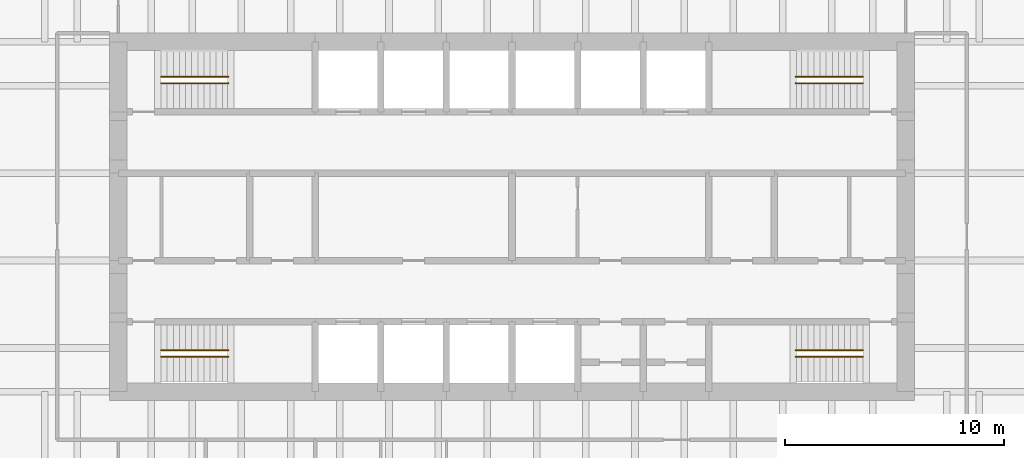
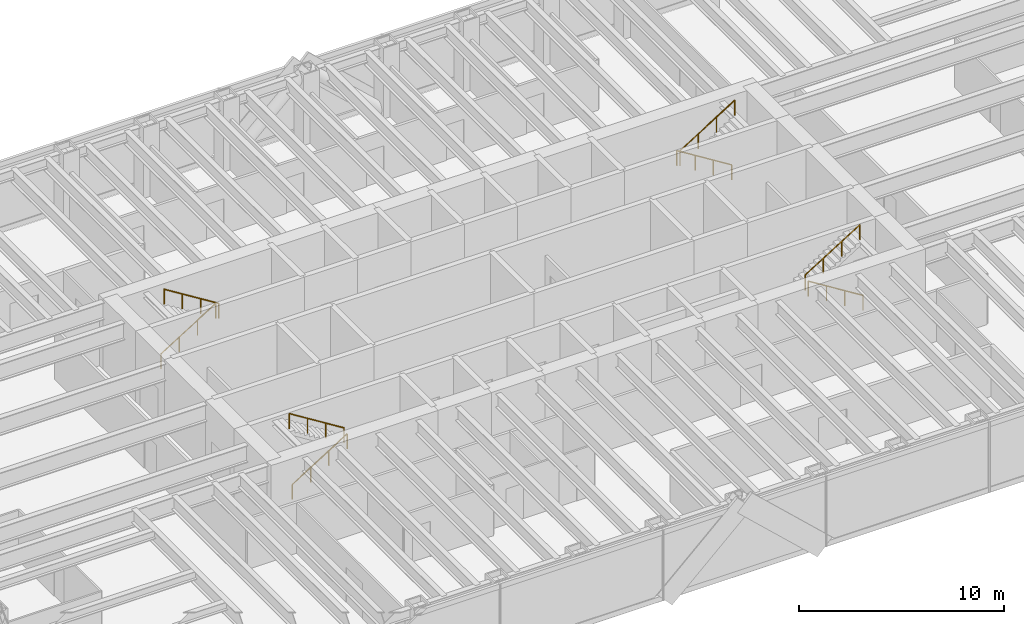
# One storey, part 14 of 14: 8 railings.
"""IFC4 building model written with IfcOpenShell, lengths in metres."""

from ifc_helpers import new_model, si_unit, direction, frame, origin, origin_2d, place, context, subcontext, project, spatial, circle, extrude, material, type_object, element, save


model = new_model("IFC4")

# Units and contexts
model_context = context("Model", 3, precision=1e-05, world=origin(), true_north=direction((0.0, 1.0)))
body_context = subcontext(model_context, "Body", "Model", "MODEL_VIEW")
ifc_project = project(units=[si_unit("LENGTHUNIT", "METRE"), si_unit("AREAUNIT", "SQUARE_METRE"), si_unit("VOLUMEUNIT", "CUBIC_METRE"), si_unit("PLANEANGLEUNIT", "RADIAN"), si_unit("MASSUNIT", "GRAM", prefix="KILO")], contexts=[model_context])

# Site, building, storey
site_placement = place(None, origin())
site = spatial("IfcSite", under=ifc_project, at=site_placement, CompositionType="ELEMENT")
building_placement = place(site_placement, origin())
building = spatial("IfcBuilding", under=site, at=building_placement, Name="Rheinbord Bourse Tower", CompositionType="ELEMENT")
storey_placement = place(building_placement, frame((0.0, 0.0, 240.39990234375)))
storey = spatial("IfcBuildingStorey", under=building, at=storey_placement, Name="L54", CompositionType="ELEMENT", Elevation=240.39990234375)

# Railings
ifc_material = material(Name="Steel handrail", Category="steel")
railing_type = type_object("IfcRailingType", Name="HANDRAIL 900", PredefinedType="HANDRAIL", material=ifc_material)
railing_1_placement = place(storey_placement, frame((19.949951171875, 17.60009765625, 0.175048828125)))
element("IfcRailing", 1, at=railing_1_placement, inside=storey, type_object=railing_type, Name="Handrail", PredefinedType="HANDRAIL", context=body_context, shape_type="SweptSolid", body=[
    extrude(circle(Radius=0.02392578125, at=origin_2d()), frame((0.0, 0.0, 0.8759765625), z_axis=(0.847998304005, 0.0, 0.529998940003), x_axis=(0.0, 1.0, 0.0)), (0.0, 0.0, 1.0), 3.632080078125),
    extrude(circle(Radius=0.02099609375, at=origin_2d()), origin(), (0.0, 0.0, 1.0), 0.851806640625),
    extrude(circle(Radius=0.02099609375, at=origin_2d()), frame((1.026611328125, 0.0, 0.6416015625)), (0.0, 0.0, 1.0), 0.851806640625),
    extrude(circle(Radius=0.02099609375, at=origin_2d()), frame((2.053466796875, 0.0, 1.283447265625)), (0.0, 0.0, 1.0), 0.851806640625),
    extrude(circle(Radius=0.02099609375, at=origin_2d()), frame((3.080078125, 0.0, 1.925048828125)), (0.0, 0.0, 1.0), 0.851806640625),
])
railing_2_placement = place(storey_placement, frame((23.030029296875, 17.89990234375, 2.275146484375)))
element("IfcRailing", 2, at=railing_2_placement, inside=storey, type_object=railing_type, Name="Handrail", PredefinedType="HANDRAIL", context=body_context, shape_type="SweptSolid", body=[
    extrude(circle(Radius=0.02392578125, at=origin_2d()), frame((0.0, 0.0, 0.8759765625), z_axis=(-0.847998304005, 0.0, 0.529998940003), x_axis=(0.0, -1.0, 0.0)), (0.0, 0.0, 1.0), 3.632080078125),
    extrude(circle(Radius=0.02099609375, at=origin_2d()), origin(), (0.0, 0.0, 1.0), 0.851806640625),
    extrude(circle(Radius=0.02099609375, at=origin_2d()), frame((-1.026611328125, 0.0, 0.6416015625)), (0.0, 0.0, 1.0), 0.851806640625),
    extrude(circle(Radius=0.02099609375, at=origin_2d()), frame((-2.053466796875, 0.0, 1.283447265625)), (0.0, 0.0, 1.0), 0.851806640625),
    extrude(circle(Radius=0.02099609375, at=origin_2d()), frame((-3.080078125, 0.0, 1.925048828125)), (0.0, 0.0, 1.0), 0.851806640625),
])
railing_3_placement = place(storey_placement, frame((19.949951171875, 30.39990234375, 0.175048828125)))
element("IfcRailing", 3, at=railing_3_placement, inside=storey, type_object=railing_type, Name="Handrail", PredefinedType="HANDRAIL", context=body_context, shape_type="SweptSolid", body=[
    extrude(circle(Radius=0.02392578125, at=origin_2d()), frame((0.0, 0.0, 0.8759765625), z_axis=(0.847998304005, 0.0, 0.529998940003), x_axis=(0.0, 1.0, 0.0)), (0.0, 0.0, 1.0), 3.632080078125),
    extrude(circle(Radius=0.02099609375, at=origin_2d()), origin(), (0.0, 0.0, 1.0), 0.851806640625),
    extrude(circle(Radius=0.02099609375, at=origin_2d()), frame((1.026611328125, 0.0, 0.6416015625)), (0.0, 0.0, 1.0), 0.851806640625),
    extrude(circle(Radius=0.02099609375, at=origin_2d()), frame((2.053466796875, 0.0, 1.283447265625)), (0.0, 0.0, 1.0), 0.851806640625),
    extrude(circle(Radius=0.02099609375, at=origin_2d()), frame((3.080078125, 0.0, 1.925048828125)), (0.0, 0.0, 1.0), 0.851806640625),
])
for number, where, name in (
    (4, (23.030029296875, 30.10009765625, 2.275146484375), "Handrail"),
    (5, (52.050048828125, 17.60009765625, 0.175048828125), "Handrail"),
):
    element("IfcRailing", number, at=place(storey_placement, frame(where)), inside=storey, type_object=railing_type, Name=name, PredefinedType="HANDRAIL", context=body_context, shape_type="SweptSolid", body=[
        extrude(circle(Radius=0.02392578125, at=origin_2d()), frame((0.0, 0.0, 0.8759765625), z_axis=(-0.847998304005, 0.0, 0.529998940003), x_axis=(0.0, -1.0, 0.0)), (0.0, 0.0, 1.0), 3.632080078125),
        extrude(circle(Radius=0.02099609375, at=origin_2d()), origin(), (0.0, 0.0, 1.0), 0.851806640625),
        extrude(circle(Radius=0.02099609375, at=origin_2d()), frame((-1.026611328125, 0.0, 0.6416015625)), (0.0, 0.0, 1.0), 0.851806640625),
        extrude(circle(Radius=0.02099609375, at=origin_2d()), frame((-2.053466796875, 0.0, 1.283447265625)), (0.0, 0.0, 1.0), 0.851806640625),
        extrude(circle(Radius=0.02099609375, at=origin_2d()), frame((-3.080078125, 0.0, 1.925048828125)), (0.0, 0.0, 1.0), 0.851806640625),
    ])
railing_4_placement = place(storey_placement, frame((48.969970703125, 17.89990234375, 2.275146484375)))
element("IfcRailing", 6, at=railing_4_placement, inside=storey, type_object=railing_type, Name="Handrail", PredefinedType="HANDRAIL", context=body_context, shape_type="SweptSolid", body=[
    extrude(circle(Radius=0.02392578125, at=origin_2d()), frame((0.0, 0.0, 0.8759765625), z_axis=(0.847998304005, 0.0, 0.529998940003), x_axis=(0.0, 1.0, 0.0)), (0.0, 0.0, 1.0), 3.632080078125),
    extrude(circle(Radius=0.02099609375, at=origin_2d()), origin(), (0.0, 0.0, 1.0), 0.851806640625),
    extrude(circle(Radius=0.02099609375, at=origin_2d()), frame((1.026611328125, 0.0, 0.6416015625)), (0.0, 0.0, 1.0), 0.851806640625),
    extrude(circle(Radius=0.02099609375, at=origin_2d()), frame((2.053466796875, 0.0, 1.283447265625)), (0.0, 0.0, 1.0), 0.851806640625),
    extrude(circle(Radius=0.02099609375, at=origin_2d()), frame((3.080078125, 0.0, 1.925048828125)), (0.0, 0.0, 1.0), 0.851806640625),
])
railing_5_placement = place(storey_placement, frame((52.050048828125, 30.39990234375, 0.175048828125)))
element("IfcRailing", 7, at=railing_5_placement, inside=storey, type_object=railing_type, Name="Handrail", PredefinedType="HANDRAIL", context=body_context, shape_type="SweptSolid", body=[
    extrude(circle(Radius=0.02392578125, at=origin_2d()), frame((0.0, 0.0, 0.8759765625), z_axis=(-0.847998304005, 0.0, 0.529998940003), x_axis=(0.0, -1.0, 0.0)), (0.0, 0.0, 1.0), 3.632080078125),
    extrude(circle(Radius=0.02099609375, at=origin_2d()), origin(), (0.0, 0.0, 1.0), 0.851806640625),
    extrude(circle(Radius=0.02099609375, at=origin_2d()), frame((-1.026611328125, 0.0, 0.6416015625)), (0.0, 0.0, 1.0), 0.851806640625),
    extrude(circle(Radius=0.02099609375, at=origin_2d()), frame((-2.053466796875, 0.0, 1.283447265625)), (0.0, 0.0, 1.0), 0.851806640625),
    extrude(circle(Radius=0.02099609375, at=origin_2d()), frame((-3.080078125, 0.0, 1.925048828125)), (0.0, 0.0, 1.0), 0.851806640625),
])
railing_6_placement = place(storey_placement, frame((48.969970703125, 30.10009765625, 2.275146484375)))
element("IfcRailing", 8, at=railing_6_placement, inside=storey, type_object=railing_type, Name="Handrail", PredefinedType="HANDRAIL", context=body_context, shape_type="SweptSolid", body=[
    extrude(circle(Radius=0.02392578125, at=origin_2d()), frame((0.0, 0.0, 0.8759765625), z_axis=(0.847998304005, 0.0, 0.529998940003), x_axis=(0.0, 1.0, 0.0)), (0.0, 0.0, 1.0), 3.632080078125),
    extrude(circle(Radius=0.02099609375, at=origin_2d()), origin(), (0.0, 0.0, 1.0), 0.851806640625),
    extrude(circle(Radius=0.02099609375, at=origin_2d()), frame((1.026611328125, 0.0, 0.6416015625)), (0.0, 0.0, 1.0), 0.851806640625),
    extrude(circle(Radius=0.02099609375, at=origin_2d()), frame((2.053466796875, 0.0, 1.283447265625)), (0.0, 0.0, 1.0), 0.851806640625),
    extrude(circle(Radius=0.02099609375, at=origin_2d()), frame((3.080078125, 0.0, 1.925048828125)), (0.0, 0.0, 1.0), 0.851806640625),
])

save(model, "model.ifc")
